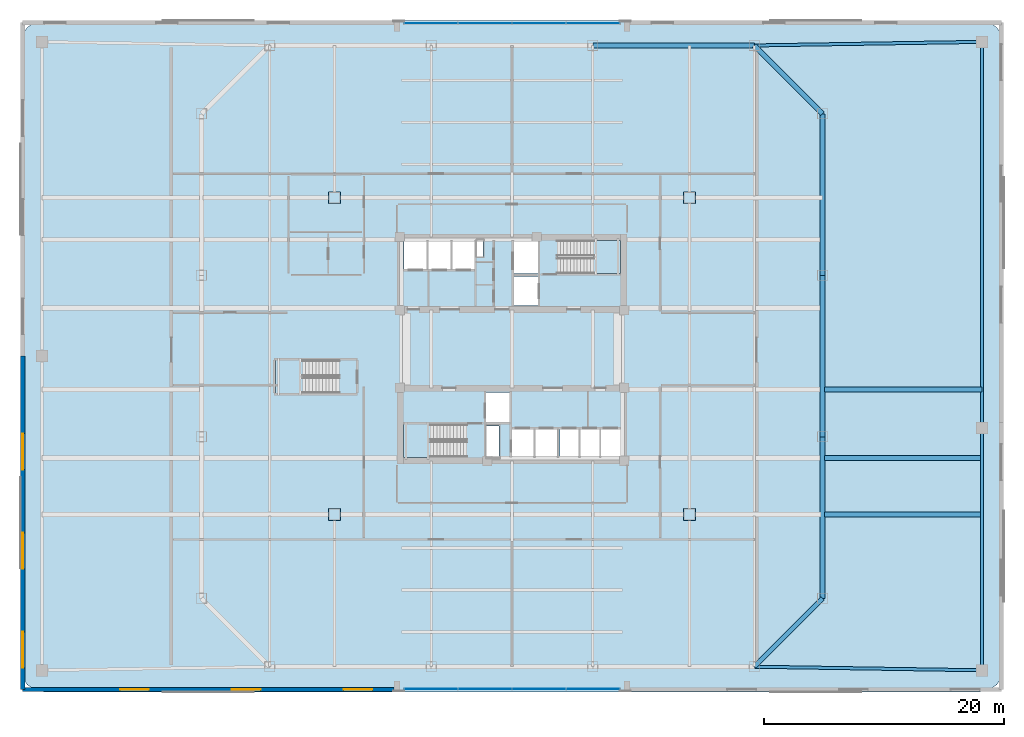
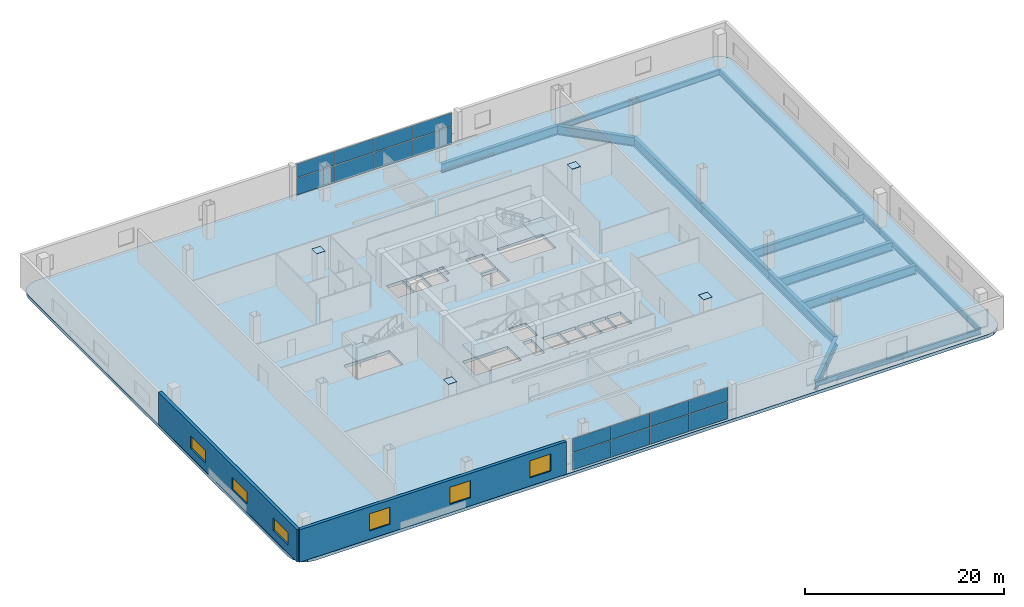
# One storey, part 11 of 21: 20 plates, 13 beams, 6 windows, 4 slabs, 2 walls, 6 openings, 5 elements without a shape of their own.
"""IFC4 building model written with IfcOpenShell, lengths in metres."""

from ifc_helpers import new_model, si_unit, direction, frame, frame_2d, origin, origin_2d, place, context, subcontext, project, spatial, polyline, rectangle, i_section, outline, extrude, material, layer, layer_set, material_profile, profile_set, type_object, element, fill, aggregate, save


model = new_model("IFC4")

# Units and contexts
model_context = context("Model", 3, precision=1e-05, world=origin(), true_north=direction((0.0, 1.0)))
body_context = subcontext(model_context, "Body", "Model", "MODEL_VIEW")
ifc_project = project(units=[si_unit("LENGTHUNIT", "METRE"), si_unit("AREAUNIT", "SQUARE_METRE"), si_unit("VOLUMEUNIT", "CUBIC_METRE"), si_unit("PLANEANGLEUNIT", "RADIAN"), si_unit("MASSUNIT", "GRAM", prefix="KILO")], contexts=[model_context])

# Site, building, storey
site_placement = place(None, origin())
site = spatial("IfcSite", under=ifc_project, at=site_placement, CompositionType="ELEMENT")
building_placement = place(site_placement, origin())
building = spatial("IfcBuilding", under=site, at=building_placement, Name="Qhalaya Broadcast Tower", CompositionType="ELEMENT")
storey_placement = place(building_placement, frame((0.0, 0.0, 21.89990234375)))
storey = spatial("IfcBuildingStorey", under=building, at=storey_placement, Name="L05", CompositionType="ELEMENT", Elevation=21.89990234375)

# Beams
ifc_material_1 = material(Name="Structural Steel ASTM A992 Grade 50", Category="steel")
ifc_material_profile_1 = material_profile(ifc_material_1, i_section(OverallWidth=0.25390625, OverallDepth=0.68310546875, WebThickness=0.012451171875, FlangeThickness=0.01904296875, at=origin_2d()), Name="W27X94")
ifc_profile_set_1 = profile_set([ifc_material_profile_1], Name="Structural Steel ASTM A992 Grade 50")
beam_type_1 = type_object("IfcBeamType", Name="Perimeter Ring Spandrel Beam SP1", PredefinedType="SPANDREL", material=ifc_profile_set_1)
for number, where, z_axis, x_axis, name in (
    (1, (20.199951171875, -25.89990234375, -0.721435546875), (0.999875328998, -0.015790074776, 0.0), (0.015790074776, 0.999875328998, 0.0), "L05 SP1 L05-SP-S2"),
    (2, (20.199951171875, 25.89990234375, -0.721435546875), (0.999875328998, 0.015790074776, 0.0), (-0.015790074776, 0.999875328998, 0.0), "L05 SP1 L05-SP-N2"),
):
    element("IfcBeam", number, at=place(storey_placement, frame(where, z_axis=z_axis, x_axis=x_axis)), inside=storey, type_object=beam_type_1, Name=name, PredefinedType="SPANDREL", context=body_context, shape_type="SweptSolid", body=[
        extrude(i_section(OverallWidth=0.25390625, OverallDepth=0.68310546875, WebThickness=0.012451171875, FlangeThickness=0.01904296875, at=origin_2d()), origin(), (0.0, 0.0, 1.0), 19.00244140625),
    ])
beam_1_placement = place(storey_placement, frame((39.199951171875, -26.199951171875, -0.721435546875), z_axis=(0.0, 1.0, 0.0), x_axis=(-1.0, 0.0, 0.0)))
element("IfcBeam", 3, at=beam_1_placement, inside=storey, type_object=beam_type_1, Name="L05 SP1 L05-SP-E1", PredefinedType="SPANDREL", context=body_context, shape_type="SweptSolid", body=[
    extrude(i_section(OverallWidth=0.25390625, OverallDepth=0.68310546875, WebThickness=0.012451171875, FlangeThickness=0.01904296875, at=origin_2d()), origin(), (0.0, 0.0, 1.0), 20.199951171875),
])
beam_2_placement = place(storey_placement, frame((39.199951171875, -6.0, -0.721435546875), z_axis=(0.0, 1.0, 0.0), x_axis=(-1.0, 0.0, 0.0)))
element("IfcBeam", 4, at=beam_2_placement, inside=storey, type_object=beam_type_1, Name="L05 SP1 L05-SP-E2", PredefinedType="SPANDREL", context=body_context, shape_type="SweptSolid", body=[
    extrude(i_section(OverallWidth=0.25390625, OverallDepth=0.68310546875, WebThickness=0.012451171875, FlangeThickness=0.01904296875, at=origin_2d()), origin(), (0.0, 0.0, 1.0), 32.199951171875),
])
ifc_material_profile_2 = material_profile(ifc_material_1, i_section(OverallWidth=0.404052734375, OverallDepth=1.117919921875, WebThickness=0.026123046875, FlangeThickness=0.044921875, at=origin_2d()), Name="W44X335")
ifc_profile_set_2 = profile_set([ifc_material_profile_2], Name="Structural Steel ASTM A992 Grade 50")
beam_type_2 = type_object("IfcBeamType", Name="Podium Long-Span Primary Girder PG1", PredefinedType="USERDEFINED", material=ifc_profile_set_2)
beam_3_placement = place(storey_placement, frame((20.199951171875, -25.89990234375, -0.93896484375), z_axis=(0.707106781187, 0.707106781187, 0.0), x_axis=(-0.707106781187, 0.707106781187, 0.0)))
element("IfcBeam", 5, at=beam_3_placement, inside=storey, type_object=beam_type_2, Name="L05 PG1 L05-PG-R04", ObjectType="GIRDER", PredefinedType="USERDEFINED", context=body_context, shape_type="SweptSolid", body=[
    extrude(i_section(OverallWidth=0.404052734375, OverallDepth=1.117919921875, WebThickness=0.026123046875, FlangeThickness=0.044921875, at=origin_2d()), origin(), (0.0, 0.0, 1.0), 8.06103515625),
])
beam_4_placement = place(storey_placement, frame((25.89990234375, -20.199951171875, -0.93896484375), z_axis=(0.0, 1.0, 0.0), x_axis=(-1.0, 0.0, 0.0)))
element("IfcBeam", 6, at=beam_4_placement, inside=storey, type_object=beam_type_2, Name="L05 PG1 L05-PG-R05", ObjectType="GIRDER", PredefinedType="USERDEFINED", context=body_context, shape_type="SweptSolid", body=[
    extrude(i_section(OverallWidth=0.404052734375, OverallDepth=1.117919921875, WebThickness=0.026123046875, FlangeThickness=0.044921875, at=origin_2d()), origin(), (0.0, 0.0, 1.0), 13.466552734375),
])
beam_5_placement = place(storey_placement, frame((25.89990234375, -6.7333984375, -0.93896484375), z_axis=(0.0, 1.0, 0.0), x_axis=(-1.0, 0.0, 0.0)))
element("IfcBeam", 7, at=beam_5_placement, inside=storey, type_object=beam_type_2, Name="L05 PG1 L05-PG-R06", ObjectType="GIRDER", PredefinedType="USERDEFINED", context=body_context, shape_type="SweptSolid", body=[
    extrude(i_section(OverallWidth=0.404052734375, OverallDepth=1.117919921875, WebThickness=0.026123046875, FlangeThickness=0.044921875, at=origin_2d()), origin(), (0.0, 0.0, 1.0), 13.466796875),
])
beam_6_placement = place(storey_placement, frame((25.89990234375, 6.7333984375, -0.93896484375), z_axis=(0.0, 1.0, 0.0), x_axis=(-1.0, 0.0, 0.0)))
element("IfcBeam", 8, at=beam_6_placement, inside=storey, type_object=beam_type_2, Name="L05 PG1 L05-PG-R07", ObjectType="GIRDER", PredefinedType="USERDEFINED", context=body_context, shape_type="SweptSolid", body=[
    extrude(i_section(OverallWidth=0.404052734375, OverallDepth=1.117919921875, WebThickness=0.026123046875, FlangeThickness=0.044921875, at=origin_2d()), origin(), (0.0, 0.0, 1.0), 13.466552734375),
])
beam_7_placement = place(storey_placement, frame((25.89990234375, 20.199951171875, -0.93896484375), z_axis=(-0.707106781187, 0.707106781187, 0.0), x_axis=(-0.707106781187, -0.707106781187, 0.0)))
element("IfcBeam", 9, at=beam_7_placement, inside=storey, type_object=beam_type_2, Name="L05 PG1 L05-PG-R08", ObjectType="GIRDER", PredefinedType="USERDEFINED", context=body_context, shape_type="SweptSolid", body=[
    extrude(i_section(OverallWidth=0.404052734375, OverallDepth=1.117919921875, WebThickness=0.026123046875, FlangeThickness=0.044921875, at=origin_2d()), origin(), (0.0, 0.0, 1.0), 8.06103515625),
])
beam_8_placement = place(storey_placement, frame((20.199951171875, 25.89990234375, -0.93896484375), z_axis=(-1.0, 0.0, 0.0), x_axis=(0.0, -1.0, 0.0)))
element("IfcBeam", 10, at=beam_8_placement, inside=storey, type_object=beam_type_2, Name="L05 PG1 L05-PG-R09", ObjectType="GIRDER", PredefinedType="USERDEFINED", context=body_context, shape_type="SweptSolid", body=[
    extrude(i_section(OverallWidth=0.404052734375, OverallDepth=1.117919921875, WebThickness=0.026123046875, FlangeThickness=0.044921875, at=origin_2d()), origin(), (0.0, 0.0, 1.0), 13.466552734375),
])
for number, where, z_axis, x_axis, name in (
    (11, (26.0400390625, -13.199951171875, -0.93896484375), (1.0, 0.0, 0.0), (0.0, 1.0, 0.0), "L05 PG1 L05-PG-GS5"),
    (12, (26.0400390625, -8.5, -0.93896484375), (1.0, 0.0, 0.0), (0.0, 1.0, 0.0), "L05 PG1 L05-PG-E1B"),
    (13, (26.0400390625, -2.800048828125, -0.93896484375), (1.0, 0.0, 0.0), (0.0, 1.0, 0.0), "L05 PG1 L05-PG-E2B"),
):
    element("IfcBeam", number, at=place(storey_placement, frame(where, z_axis=z_axis, x_axis=x_axis)), inside=storey, type_object=beam_type_2, Name=name, ObjectType="GIRDER", PredefinedType="USERDEFINED", context=body_context, shape_type="SweptSolid", body=[
        extrude(i_section(OverallWidth=0.404052734375, OverallDepth=1.117919921875, WebThickness=0.026123046875, FlangeThickness=0.044921875, at=origin_2d()), origin(), (0.0, 0.0, 1.0), 13.159912109375),
    ])

# Plates
ifc_material_2 = material(Name="Structural Steel ASTM A572 Grade 50", Category="steel")
ifc_layer_1 = layer(ifc_material_2, 0.4599609375, Name="Structural Steel ASTM A572 Grade 50")
ifc_layer_set_1 = layer_set([ifc_layer_1], Name="Structural Steel ASTM A572 Grade 50")
plate_type_1 = type_object("IfcPlateType", Name="Hollow Box Member End Cap Plate CP-01", PredefinedType="USERDEFINED", material=ifc_layer_set_1)
for number, where, z_axis, x_axis, name in (
    (14, (-14.800048828125, -13.199951171875, 4.2001953125), (0.0, 0.0, 1.0), (1.0, 0.0, 0.0), "L05 Hollow Box Column Top Cap Plate COL-GR1"),
    (15, (14.800048828125, -13.199951171875, 4.2001953125), (0.0, 0.0, 1.0), (1.0, 0.0, 0.0), "L05 Hollow Box Column Top Cap Plate COL-GR2"),
    (16, (-14.800048828125, 13.199951171875, 4.2001953125), (0.0, 0.0, 1.0), (1.0, 0.0, 0.0), "L05 Hollow Box Column Top Cap Plate COL-GR3"),
    (17, (14.800048828125, 13.199951171875, 4.2001953125), (0.0, 0.0, 1.0), (1.0, 0.0, 0.0), "L05 Hollow Box Column Top Cap Plate COL-GR4"),
):
    element("IfcPlate", number, at=place(storey_placement, frame(where, z_axis=z_axis, x_axis=x_axis)), inside=storey, type_object=plate_type_1, Name=name, ObjectType="COVER_PLATE", PredefinedType="USERDEFINED", context=body_context, shape_type="SweptSolid", body=[
        extrude(rectangle(XDim=0.989990234375, YDim=0.989990234375, at=origin_2d()), origin(), (0.0, 0.0, 1.0), 0.031982421875),
    ])

# Curtain wall, plates
ifc_material_3 = material(Name="Solar-Control Low-E Triple Glazing", Category="glass")
ifc_layer_2 = layer(ifc_material_3, 0.219970703125, Name="Solar-Control Low-E Triple Glazing")
ifc_layer_set_2 = layer_set([ifc_layer_2], Name="Solar-Control Low-E Triple Glazing")
curtain_wall_type = type_object("IfcCurtainWallType", Name="Podium Concourse Triple-Height Glazed Portal CW-01", PredefinedType="NOTDEFINED", material=ifc_layer_set_2)
curtain_wall_1_placement = place(storey_placement, origin())
curtain_wall_1 = element("IfcCurtainWall", 18, at=curtain_wall_1_placement, inside=storey, type_object=curtain_wall_type, Name="L05 Unitised Curtain Wall L05-CW01-S", PredefinedType="NOTDEFINED")
ifc_layer_3 = layer(ifc_material_3, 0.0380859375, Name="Solar-Control Low-E Triple Glazing")
ifc_layer_set_3 = layer_set([ifc_layer_3], Name="Solar-Control Low-E Triple Glazing")
plate_type_2 = type_object("IfcPlateType", Name="Solar-Control Curtain Glazing Panel GLP-01", PredefinedType="CURTAIN_PANEL", material=ifc_layer_set_3)
plate_1_placement = place(storey_placement, frame((-6.768798828125, -27.75, 0.0751953125), z_axis=(0.0, 0.0, 1.0), x_axis=(1.0, 0.0, 0.0)))
plate_1 = element("IfcPlate", 19, at=plate_1_placement, type_object=plate_type_2, Name="CW-01 panel 1.1", PredefinedType="CURTAIN_PANEL", context=body_context, shape_type="SweptSolid", body=[
    extrude(rectangle(XDim=4.41259765625, YDim=0.0380859375, at=origin_2d()), origin(), (0.0, 0.0, 1.0), 2.076416015625),
])
plate_2_placement = place(storey_placement, frame((-6.768798828125, -27.75, 2.2265625), z_axis=(0.0, 0.0, 1.0), x_axis=(1.0, 0.0, 0.0)))
plate_2 = element("IfcPlate", 20, at=plate_2_placement, type_object=plate_type_2, Name="CW-01 panel 1.2", PredefinedType="CURTAIN_PANEL", context=body_context, shape_type="SweptSolid", body=[
    extrude(rectangle(XDim=4.41259765625, YDim=0.0380859375, at=origin_2d()), origin(), (0.0, 0.0, 1.0), 1.678466796875),
])
plate_3_placement = place(storey_placement, frame((-2.262451171875, -27.75, 0.0751953125), z_axis=(0.0, 0.0, 1.0), x_axis=(1.0, 0.0, 0.0)))
plate_3 = element("IfcPlate", 21, at=plate_3_placement, type_object=plate_type_2, Name="CW-01 panel 2.1", PredefinedType="CURTAIN_PANEL", context=body_context, shape_type="SweptSolid", body=[
    extrude(rectangle(XDim=4.449951171875, YDim=0.0380859375, at=origin_2d()), origin(), (0.0, 0.0, 1.0), 2.076416015625),
])
plate_4_placement = place(storey_placement, frame((-2.262451171875, -27.75, 2.2265625), z_axis=(0.0, 0.0, 1.0), x_axis=(1.0, 0.0, 0.0)))
plate_4 = element("IfcPlate", 22, at=plate_4_placement, type_object=plate_type_2, Name="CW-01 panel 2.2", PredefinedType="CURTAIN_PANEL", context=body_context, shape_type="SweptSolid", body=[
    extrude(rectangle(XDim=4.449951171875, YDim=0.0380859375, at=origin_2d()), origin(), (0.0, 0.0, 1.0), 1.678466796875),
])
plate_5_placement = place(storey_placement, frame((2.262451171875, -27.75, 0.0751953125), z_axis=(0.0, 0.0, 1.0), x_axis=(1.0, 0.0, 0.0)))
plate_5 = element("IfcPlate", 23, at=plate_5_placement, type_object=plate_type_2, Name="CW-01 panel 3.1", PredefinedType="CURTAIN_PANEL", context=body_context, shape_type="SweptSolid", body=[
    extrude(rectangle(XDim=4.449951171875, YDim=0.0380859375, at=origin_2d()), origin(), (0.0, 0.0, 1.0), 2.076416015625),
])
plate_6_placement = place(storey_placement, frame((2.262451171875, -27.75, 2.2265625), z_axis=(0.0, 0.0, 1.0), x_axis=(1.0, 0.0, 0.0)))
plate_6 = element("IfcPlate", 24, at=plate_6_placement, type_object=plate_type_2, Name="CW-01 panel 3.2", PredefinedType="CURTAIN_PANEL", context=body_context, shape_type="SweptSolid", body=[
    extrude(rectangle(XDim=4.449951171875, YDim=0.0380859375, at=origin_2d()), origin(), (0.0, 0.0, 1.0), 1.678466796875),
])
plate_7_placement = place(storey_placement, frame((6.768798828125, -27.75, 0.0751953125), z_axis=(0.0, 0.0, 1.0), x_axis=(1.0, 0.0, 0.0)))
plate_7 = element("IfcPlate", 25, at=plate_7_placement, type_object=plate_type_2, Name="CW-01 panel 4.1", PredefinedType="CURTAIN_PANEL", context=body_context, shape_type="SweptSolid", body=[
    extrude(rectangle(XDim=4.41259765625, YDim=0.0380859375, at=origin_2d()), origin(), (0.0, 0.0, 1.0), 2.076416015625),
])
plate_8_placement = place(storey_placement, frame((6.768798828125, -27.75, 2.2265625), z_axis=(0.0, 0.0, 1.0), x_axis=(1.0, 0.0, 0.0)))
plate_8 = element("IfcPlate", 26, at=plate_8_placement, type_object=plate_type_2, Name="CW-01 panel 4.2", PredefinedType="CURTAIN_PANEL", context=body_context, shape_type="SweptSolid", body=[
    extrude(rectangle(XDim=4.41259765625, YDim=0.0380859375, at=origin_2d()), origin(), (0.0, 0.0, 1.0), 1.678466796875),
])
aggregate(curtain_wall_1, [plate_1, plate_2, plate_3, plate_4, plate_5, plate_6, plate_7, plate_8])

curtain_wall_2_placement = place(storey_placement, origin())
curtain_wall_2 = element("IfcCurtainWall", 27, at=curtain_wall_2_placement, inside=storey, type_object=curtain_wall_type, Name="L05 Unitised Curtain Wall L05-CW01-N", PredefinedType="NOTDEFINED")
plate_9_placement = place(storey_placement, frame((6.768798828125, 27.75, 0.0751953125), z_axis=(0.0, 0.0, 1.0), x_axis=(-1.0, 0.0, 0.0)))
plate_9 = element("IfcPlate", 28, at=plate_9_placement, type_object=plate_type_2, Name="CW-01 panel 1.1", PredefinedType="CURTAIN_PANEL", context=body_context, shape_type="SweptSolid", body=[
    extrude(rectangle(XDim=4.41259765625, YDim=0.0380859375, at=origin_2d()), origin(), (0.0, 0.0, 1.0), 2.076416015625),
])
plate_10_placement = place(storey_placement, frame((6.768798828125, 27.75, 2.2265625), z_axis=(0.0, 0.0, 1.0), x_axis=(-1.0, 0.0, 0.0)))
plate_10 = element("IfcPlate", 29, at=plate_10_placement, type_object=plate_type_2, Name="CW-01 panel 1.2", PredefinedType="CURTAIN_PANEL", context=body_context, shape_type="SweptSolid", body=[
    extrude(rectangle(XDim=4.41259765625, YDim=0.0380859375, at=origin_2d()), origin(), (0.0, 0.0, 1.0), 1.678466796875),
])
plate_11_placement = place(storey_placement, frame((2.262451171875, 27.75, 0.0751953125), z_axis=(0.0, 0.0, 1.0), x_axis=(-1.0, 0.0, 0.0)))
plate_11 = element("IfcPlate", 30, at=plate_11_placement, type_object=plate_type_2, Name="CW-01 panel 2.1", PredefinedType="CURTAIN_PANEL", context=body_context, shape_type="SweptSolid", body=[
    extrude(rectangle(XDim=4.449951171875, YDim=0.0380859375, at=origin_2d()), origin(), (0.0, 0.0, 1.0), 2.076416015625),
])
plate_12_placement = place(storey_placement, frame((2.262451171875, 27.75, 2.2265625), z_axis=(0.0, 0.0, 1.0), x_axis=(-1.0, 0.0, 0.0)))
plate_12 = element("IfcPlate", 31, at=plate_12_placement, type_object=plate_type_2, Name="CW-01 panel 2.2", PredefinedType="CURTAIN_PANEL", context=body_context, shape_type="SweptSolid", body=[
    extrude(rectangle(XDim=4.449951171875, YDim=0.0380859375, at=origin_2d()), origin(), (0.0, 0.0, 1.0), 1.678466796875),
])
plate_13_placement = place(storey_placement, frame((-2.262451171875, 27.75, 0.0751953125), z_axis=(0.0, 0.0, 1.0), x_axis=(-1.0, 0.0, 0.0)))
plate_13 = element("IfcPlate", 32, at=plate_13_placement, type_object=plate_type_2, Name="CW-01 panel 3.1", PredefinedType="CURTAIN_PANEL", context=body_context, shape_type="SweptSolid", body=[
    extrude(rectangle(XDim=4.449951171875, YDim=0.0380859375, at=origin_2d()), origin(), (0.0, 0.0, 1.0), 2.076416015625),
])
plate_14_placement = place(storey_placement, frame((-2.262451171875, 27.75, 2.2265625), z_axis=(0.0, 0.0, 1.0), x_axis=(-1.0, 0.0, 0.0)))
plate_14 = element("IfcPlate", 33, at=plate_14_placement, type_object=plate_type_2, Name="CW-01 panel 3.2", PredefinedType="CURTAIN_PANEL", context=body_context, shape_type="SweptSolid", body=[
    extrude(rectangle(XDim=4.449951171875, YDim=0.0380859375, at=origin_2d()), origin(), (0.0, 0.0, 1.0), 1.678466796875),
])
plate_15_placement = place(storey_placement, frame((-6.768798828125, 27.75, 0.0751953125), z_axis=(0.0, 0.0, 1.0), x_axis=(-1.0, 0.0, 0.0)))
plate_15 = element("IfcPlate", 34, at=plate_15_placement, type_object=plate_type_2, Name="CW-01 panel 4.1", PredefinedType="CURTAIN_PANEL", context=body_context, shape_type="SweptSolid", body=[
    extrude(rectangle(XDim=4.41259765625, YDim=0.0380859375, at=origin_2d()), origin(), (0.0, 0.0, 1.0), 2.076416015625),
])
plate_16_placement = place(storey_placement, frame((-6.768798828125, 27.75, 2.2265625), z_axis=(0.0, 0.0, 1.0), x_axis=(-1.0, 0.0, 0.0)))
plate_16 = element("IfcPlate", 35, at=plate_16_placement, type_object=plate_type_2, Name="CW-01 panel 4.2", PredefinedType="CURTAIN_PANEL", context=body_context, shape_type="SweptSolid", body=[
    extrude(rectangle(XDim=4.41259765625, YDim=0.0380859375, at=origin_2d()), origin(), (0.0, 0.0, 1.0), 1.678466796875),
])
aggregate(curtain_wall_2, [plate_9, plate_10, plate_11, plate_12, plate_13, plate_14, plate_15, plate_16])

# Stair, slab
ifc_material_4 = material(Name="Concrete C40/50", Category="concrete")
stair_type = type_object("IfcStairType", Name="Protected Dogleg Core Stair 4200", PredefinedType="TWO_STRAIGHT_RUN_STAIR", material=ifc_material_4)
stair_1_placement = place(storey_placement, origin())
stair_1 = element("IfcStair", 36, at=stair_1_placement, inside=storey, type_object=stair_type, Name="L05 North Core Exit Stair ST-1", PredefinedType="TWO_STRAIGHT_RUN_STAIR")
ifc_layer_4 = layer(ifc_material_4, 0.199951171875, Name="Concrete C40/50")
ifc_layer_set_4 = layer_set([ifc_layer_4], Name="Concrete C40/50")
slab_type_1 = type_object("IfcSlabType", Name="Stair & Ramp Half-Landing Slab 200", PredefinedType="LANDING", material=ifc_layer_set_4)
slab_1_placement = place(storey_placement, frame((0.0, 0.0, 1.900146484375)))
slab_1 = element("IfcSlab", 37, at=slab_1_placement, type_object=slab_type_1, Name="ST-1 landing 1", PredefinedType="LANDING", context=body_context, shape_type="SweptSolid", body=[
    extrude(outline(polyline([(6.794921875, 6.8798828125), (9.050048828125, 6.8798828125), (9.050048828125, 9.639892578125), (6.794921875, 9.639892578125), (6.794921875, 6.8798828125)])), origin(), (0.0, 0.0, 1.0), 0.199951171875),
])
aggregate(stair_1, [slab_1])

stair_2_placement = place(storey_placement, origin())
stair_2 = element("IfcStair", 38, at=stair_2_placement, inside=storey, type_object=stair_type, Name="L05 South Core Exit Stair ST-2", PredefinedType="TWO_STRAIGHT_RUN_STAIR")
slab_2_placement = place(storey_placement, frame((0.0, 0.0, 1.900146484375)))
slab_2 = element("IfcSlab", 39, at=slab_2_placement, type_object=slab_type_1, Name="ST-2 landing 1", PredefinedType="LANDING", context=body_context, shape_type="SweptSolid", body=[
    extrude(outline(polyline([(-6.794921875, -5.679931640625), (-9.050048828125, -5.679931640625), (-9.050048828125, -8.43994140625), (-6.794921875, -8.43994140625), (-6.794921875, -5.679931640625)])), origin(), (0.0, 0.0, 1.0), 0.199951171875),
])
aggregate(stair_2, [slab_2])

stair_3_placement = place(storey_placement, origin())
stair_3 = element("IfcStair", 40, at=stair_3_placement, inside=storey, type_object=stair_type, Name="L05 Podium West Escape Stair ST-P1", PredefinedType="TWO_STRAIGHT_RUN_STAIR")
slab_3_placement = place(storey_placement, frame((0.0, 0.0, 1.900146484375)))
slab_3 = element("IfcSlab", 41, at=slab_3_placement, type_object=slab_type_1, Name="ST-P1 landing 1", PredefinedType="LANDING", context=body_context, shape_type="SweptSolid", body=[
    extrude(outline(polyline([(-17.445068359375, -0.340087890625), (-19.699951171875, -0.340087890625), (-19.699951171875, -3.10009765625), (-17.445068359375, -3.10009765625), (-17.445068359375, -0.340087890625)])), origin(), (0.0, 0.0, 1.0), 0.199951171875),
])
aggregate(stair_3, [slab_3])

# Slab
ifc_layer_5 = layer(ifc_material_4, 0.3798828125, Name="Concrete C40/50")
ifc_layer_set_5 = layer_set([ifc_layer_5], Name="Concrete C40/50")
slab_type_2 = type_object("IfcSlabType", Name="Transfer & Sky-Pool Structural Deck Slab 380", PredefinedType="FLOOR", material=ifc_layer_set_5)
slab_4_placement = place(storey_placement, frame((0.0, 0.0, -0.3798828125)))
element("IfcSlab", 42, at=slab_4_placement, inside=storey, type_object=slab_type_2, Name="L05 Main Structural Floor Slab", PredefinedType="FLOOR", context=body_context, shape_type="SweptSolid", body=[
    extrude(outline(polyline([(39.0, -28.0), (39.765380859375, -27.847900390625), (40.414306640625, -27.414306640625), (40.847900390625, -26.765380859375), (41.0, -26.0), (41.0, 26.0), (40.847900390625, 26.765380859375), (40.414306640625, 27.414306640625), (39.765380859375, 27.847900390625), (39.0, 28.0), (-39.0, 28.0), (-39.765380859375, 27.847900390625), (-40.414306640625, 27.414306640625), (-40.847900390625, 26.765380859375), (-41.0, 26.0), (-41.0, -26.0), (-40.847900390625, -26.765380859375), (-40.414306640625, -27.414306640625), (-39.765380859375, -27.847900390625), (-39.0, -28.0), (39.0, -28.0)]), holes=[polyline([(3.784912109375, 9.639892578125), (9.050048828125, 9.639892578125), (9.050048828125, 6.8798828125), (3.784912109375, 6.8798828125), (3.784912109375, 9.639892578125)]), polyline([(-3.784912109375, -8.43994140625), (-9.050048828125, -8.43994140625), (-9.050048828125, -5.679931640625), (-3.784912109375, -5.679931640625), (-3.784912109375, -8.43994140625)]), polyline([(-14.43505859375, -3.10009765625), (-19.699951171875, -3.10009765625), (-19.699951171875, -0.340087890625), (-14.43505859375, -0.340087890625), (-14.43505859375, -3.10009765625)]), polyline([(0.14990234375, 6.64990234375), (2.14990234375, 6.64990234375), (2.14990234375, 4.199951171875), (0.14990234375, 4.199951171875), (0.14990234375, 6.64990234375)]), polyline([(0.14990234375, 9.60009765625), (2.14990234375, 9.60009765625), (2.14990234375, 6.89990234375), (0.14990234375, 6.89990234375), (0.14990234375, 9.60009765625)]), polyline([(-2.14990234375, -3.050048828125), (-0.14990234375, -3.050048828125), (-0.14990234375, -5.5), (-2.14990234375, -5.5), (-2.14990234375, -3.050048828125)]), polyline([(-9.0, 9.60009765625), (-7.1201171875, 9.60009765625), (-7.1201171875, 7.25), (-9.0, 7.25), (-9.0, 9.60009765625)]), polyline([(-7.0, 9.60009765625), (-5.1201171875, 9.60009765625), (-5.1201171875, 7.25), (-7.0, 7.25), (-7.0, 9.60009765625)]), polyline([(-5.0, 9.60009765625), (-3.1201171875, 9.60009765625), (-3.1201171875, 7.25), (-5.0, 7.25), (-5.0, 9.60009765625)]), polyline([(-0.050048828125, -6.10009765625), (1.830078125, -6.10009765625), (1.830078125, -8.39990234375), (-0.050048828125, -8.39990234375), (-0.050048828125, -6.10009765625)]), polyline([(1.949951171875, -6.10009765625), (3.830078125, -6.10009765625), (3.830078125, -8.39990234375), (1.949951171875, -8.39990234375), (1.949951171875, -6.10009765625)]), polyline([(4.0, -6.10009765625), (5.60009765625, -6.10009765625), (5.60009765625, -8.39990234375), (4.0, -8.39990234375), (4.0, -6.10009765625)]), polyline([(5.719970703125, -6.10009765625), (7.320068359375, -6.10009765625), (7.320068359375, -8.39990234375), (5.719970703125, -8.39990234375), (5.719970703125, -6.10009765625)]), polyline([(7.43994140625, -6.10009765625), (9.0400390625, -6.10009765625), (9.0400390625, -8.39990234375), (7.43994140625, -8.39990234375), (7.43994140625, -6.10009765625)]), polyline([(-2.919921875, 9.659912109375), (-2.419921875, 9.659912109375), (-2.419921875, 8.320068359375), (-2.919921875, 8.320068359375), (-2.919921875, 9.659912109375)]), polyline([(-2.1201171875, -5.820068359375), (-1.080078125, -5.820068359375), (-1.080078125, -8.4599609375), (-2.1201171875, -8.4599609375), (-2.1201171875, -5.820068359375)])]), origin(), (0.0, 0.0, 1.0), 0.3798828125),
])

# Wall, openings, windows
ifc_material_5 = material(Name="Precast Concrete C40/50", Category="concrete")
ifc_layer_6 = layer(ifc_material_5, 0.360107421875, Name="Precast Concrete C40/50")
ifc_layer_set_6 = layer_set([ifc_layer_6], Name="Precast Concrete C40/50")
wall_type = type_object("IfcWallType", Name="Insulated Precast Terracotta Exterior Wall 360", PredefinedType="SOLIDWALL", material=ifc_layer_set_6)
wall_1_placement = place(storey_placement, frame((-9.840087890625, -27.800048828125, 0.0), z_axis=(0.0, 0.0, 1.0), x_axis=(-1.0, 0.0, 0.0)))
wall_1 = element("IfcWall", 43, at=wall_1_placement, inside=storey, type_object=wall_type, Name="L05 Podium Exterior Terracotta Wall EW-SW", PredefinedType="SOLIDWALL", context=body_context, shape_type="SweptSolid", body=[
    extrude(rectangle(XDim=30.9599609375, YDim=0.360107421875, at=frame_2d((15.47998046875, 0.0))), origin(), (0.0, 0.0, 1.0), 3.97998046875),
])
opening_1_placement = place(wall_1_placement, frame((1.800048828125, 0.0, 1.0)))
opening_1 = element("IfcOpeningElement", 44, at=opening_1_placement, cuts=wall_1, Name="Opening W01", PredefinedType="OPENING", context=body_context, shape_type="SweptSolid", body=[
    extrude(rectangle(XDim=2.39990234375, YDim=2.10009765625, at=frame_2d((1.199951171875, 1.050048828125))), frame((0.0, 0.192138671875, 0.0), z_axis=(0.0, -1.0, 0.0), x_axis=(1.0, 0.0, 0.0)), (0.0, 0.0, 1.0), 0.384033203125),
])
opening_2_placement = place(wall_1_placement, frame((11.1201171875, 0.0, 1.0)))
opening_2 = element("IfcOpeningElement", 45, at=opening_2_placement, cuts=wall_1, Name="Opening W01", PredefinedType="OPENING", context=body_context, shape_type="SweptSolid", body=[
    extrude(rectangle(XDim=2.39990234375, YDim=2.10009765625, at=frame_2d((1.199951171875, 1.050048828125))), frame((0.0, 0.192138671875, 0.0), z_axis=(0.0, -1.0, 0.0), x_axis=(1.0, 0.0, 0.0)), (0.0, 0.0, 1.0), 0.384033203125),
])
opening_3_placement = place(wall_1_placement, frame((20.43994140625, 0.0, 1.0)))
opening_3 = element("IfcOpeningElement", 46, at=opening_3_placement, cuts=wall_1, Name="Opening W01", PredefinedType="OPENING", context=body_context, shape_type="SweptSolid", body=[
    extrude(rectangle(XDim=2.39990234375, YDim=2.10009765625, at=frame_2d((1.199951171875, 1.050048828125))), frame((0.0, 0.192138671875, 0.0), z_axis=(0.0, -1.0, 0.0), x_axis=(1.0, 0.0, 0.0)), (0.0, 0.0, 1.0), 0.384033203125),
])
window_type_1 = type_object("IfcWindowType", Name="Podium Broadcast Studio Acoustic Window W01", PartitioningType="SINGLE_PANEL", PredefinedType="WINDOW", material=ifc_material_3)
window_1_placement = place(opening_1_placement, origin())
window_1 = element("IfcWindow", 47, at=window_1_placement, inside=storey, type_object=window_type_1, Name="L05 Facade Window W01-1", OverallHeight=2.10009765625, OverallWidth=2.39990234375, PartitioningType="SINGLE_PANEL", PredefinedType="WINDOW", context=body_context, shape_type="SweptSolid", body=[
    extrude(rectangle(XDim=2.39990234375, YDim=2.10009765625, at=frame_2d((1.199951171875, 1.050048828125))), frame((0.0, 0.030029296875, 0.0), z_axis=(0.0, -1.0, 0.0), x_axis=(1.0, 0.0, 0.0)), (0.0, 0.0, 1.0), 0.06005859375),
])
fill(opening_1, window_1)
window_2_placement = place(opening_2_placement, origin())
window_2 = element("IfcWindow", 48, at=window_2_placement, inside=storey, type_object=window_type_1, Name="L05 Facade Window W01-2", OverallHeight=2.10009765625, OverallWidth=2.39990234375, PartitioningType="SINGLE_PANEL", PredefinedType="WINDOW", context=body_context, shape_type="SweptSolid", body=[
    extrude(rectangle(XDim=2.39990234375, YDim=2.10009765625, at=frame_2d((1.199951171875, 1.050048828125))), frame((0.0, 0.030029296875, 0.0), z_axis=(0.0, -1.0, 0.0), x_axis=(1.0, 0.0, 0.0)), (0.0, 0.0, 1.0), 0.06005859375),
])
fill(opening_2, window_2)
window_3_placement = place(opening_3_placement, origin())
window_3 = element("IfcWindow", 49, at=window_3_placement, inside=storey, type_object=window_type_1, Name="L05 Facade Window W01-3", OverallHeight=2.10009765625, OverallWidth=2.39990234375, PartitioningType="SINGLE_PANEL", PredefinedType="WINDOW", context=body_context, shape_type="SweptSolid", body=[
    extrude(rectangle(XDim=2.39990234375, YDim=2.10009765625, at=frame_2d((1.199951171875, 1.050048828125))), frame((0.0, 0.030029296875, 0.0), z_axis=(0.0, -1.0, 0.0), x_axis=(1.0, 0.0, 0.0)), (0.0, 0.0, 1.0), 0.06005859375),
])
fill(opening_3, window_3)

wall_2_placement = place(storey_placement, frame((-40.800048828125, -27.800048828125, 0.0), z_axis=(0.0, 0.0, 1.0), x_axis=(0.0, 1.0, 0.0)))
wall_2 = element("IfcWall", 50, at=wall_2_placement, inside=storey, type_object=wall_type, Name="L05 Podium Exterior Terracotta Wall EW-WS", PredefinedType="SOLIDWALL", context=body_context, shape_type="SweptSolid", body=[
    extrude(rectangle(XDim=27.800048828125, YDim=0.360107421875, at=frame_2d((13.89990234375, 0.0))), origin(), (0.0, 0.0, 1.0), 3.97998046875),
])
opening_4_placement = place(wall_2_placement, frame((1.800048828125, 0.0, 1.0)))
opening_4 = element("IfcOpeningElement", 51, at=opening_4_placement, cuts=wall_2, Name="Opening W03", PredefinedType="OPENING", context=body_context, shape_type="SweptSolid", body=[
    extrude(rectangle(XDim=3.0, YDim=1.5, at=frame_2d((1.5, 0.75))), frame((0.0, 0.192138671875, 0.0), z_axis=(0.0, -1.0, 0.0), x_axis=(1.0, 0.0, 0.0)), (0.0, 0.0, 1.0), 0.384033203125),
])
opening_5_placement = place(wall_2_placement, frame((10.06689453125, 0.0, 1.0)))
opening_5 = element("IfcOpeningElement", 52, at=opening_5_placement, cuts=wall_2, Name="Opening W03", PredefinedType="OPENING", context=body_context, shape_type="SweptSolid", body=[
    extrude(rectangle(XDim=3.0, YDim=1.5, at=frame_2d((1.5, 0.75))), frame((0.0, 0.192138671875, 0.0), z_axis=(0.0, -1.0, 0.0), x_axis=(1.0, 0.0, 0.0)), (0.0, 0.0, 1.0), 0.384033203125),
])
opening_6_placement = place(wall_2_placement, frame((18.3330078125, 0.0, 1.0)))
opening_6 = element("IfcOpeningElement", 53, at=opening_6_placement, cuts=wall_2, Name="Opening W03", PredefinedType="OPENING", context=body_context, shape_type="SweptSolid", body=[
    extrude(rectangle(XDim=3.0, YDim=1.5, at=frame_2d((1.5, 0.75))), frame((0.0, 0.192138671875, 0.0), z_axis=(0.0, -1.0, 0.0), x_axis=(1.0, 0.0, 0.0)), (0.0, 0.0, 1.0), 0.384033203125),
])
window_type_2 = type_object("IfcWindowType", Name="Podium Concourse Clerestory Window W03", PartitioningType="SINGLE_PANEL", PredefinedType="WINDOW", material=ifc_material_3)
window_4_placement = place(opening_4_placement, origin())
window_4 = element("IfcWindow", 54, at=window_4_placement, inside=storey, type_object=window_type_2, Name="L05 Facade Window W03-1", OverallHeight=1.5, OverallWidth=3.0, PartitioningType="SINGLE_PANEL", PredefinedType="WINDOW", context=body_context, shape_type="SweptSolid", body=[
    extrude(rectangle(XDim=3.0, YDim=1.5, at=frame_2d((1.5, 0.75))), frame((0.0, 0.030029296875, 0.0), z_axis=(0.0, -1.0, 0.0), x_axis=(1.0, 0.0, 0.0)), (0.0, 0.0, 1.0), 0.06005859375),
])
fill(opening_4, window_4)
window_5_placement = place(opening_5_placement, origin())
window_5 = element("IfcWindow", 55, at=window_5_placement, inside=storey, type_object=window_type_2, Name="L05 Facade Window W03-2", OverallHeight=1.5, OverallWidth=3.0, PartitioningType="SINGLE_PANEL", PredefinedType="WINDOW", context=body_context, shape_type="SweptSolid", body=[
    extrude(rectangle(XDim=3.0, YDim=1.5, at=frame_2d((1.5, 0.75))), frame((0.0, 0.030029296875, 0.0), z_axis=(0.0, -1.0, 0.0), x_axis=(1.0, 0.0, 0.0)), (0.0, 0.0, 1.0), 0.06005859375),
])
fill(opening_5, window_5)
window_6_placement = place(opening_6_placement, origin())
window_6 = element("IfcWindow", 56, at=window_6_placement, inside=storey, type_object=window_type_2, Name="L05 Facade Window W03-3", OverallHeight=1.5, OverallWidth=3.0, PartitioningType="SINGLE_PANEL", PredefinedType="WINDOW", context=body_context, shape_type="SweptSolid", body=[
    extrude(rectangle(XDim=3.0, YDim=1.5, at=frame_2d((1.5, 0.75))), frame((0.0, 0.030029296875, 0.0), z_axis=(0.0, -1.0, 0.0), x_axis=(1.0, 0.0, 0.0)), (0.0, 0.0, 1.0), 0.06005859375),
])
fill(opening_6, window_6)

save(model, "model.ifc")
